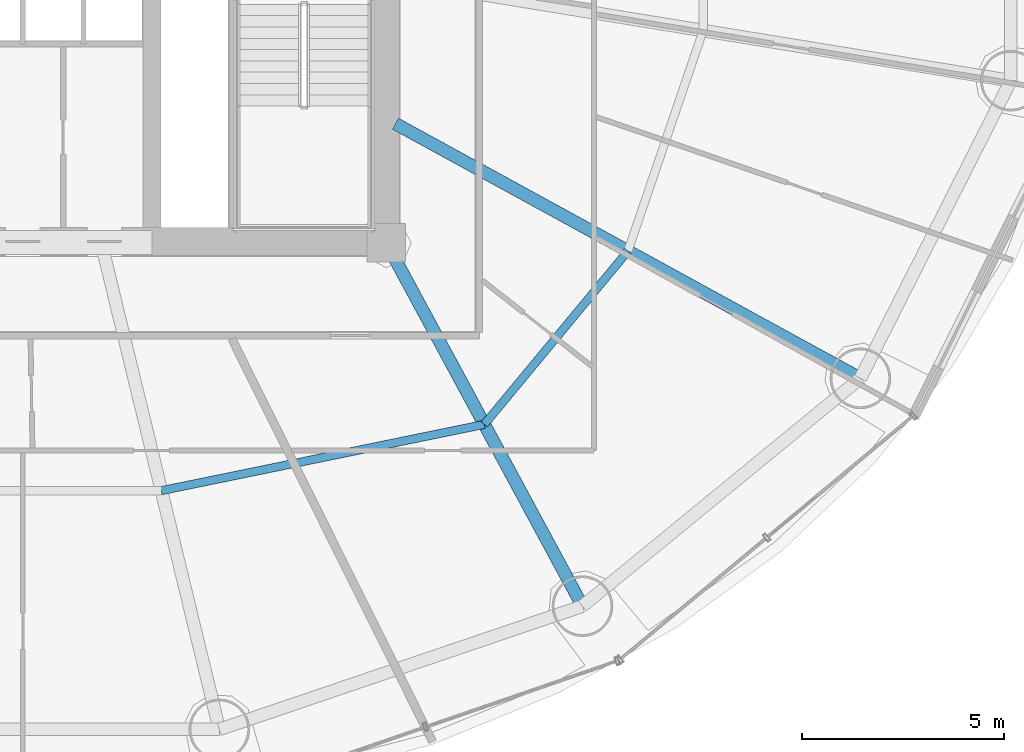
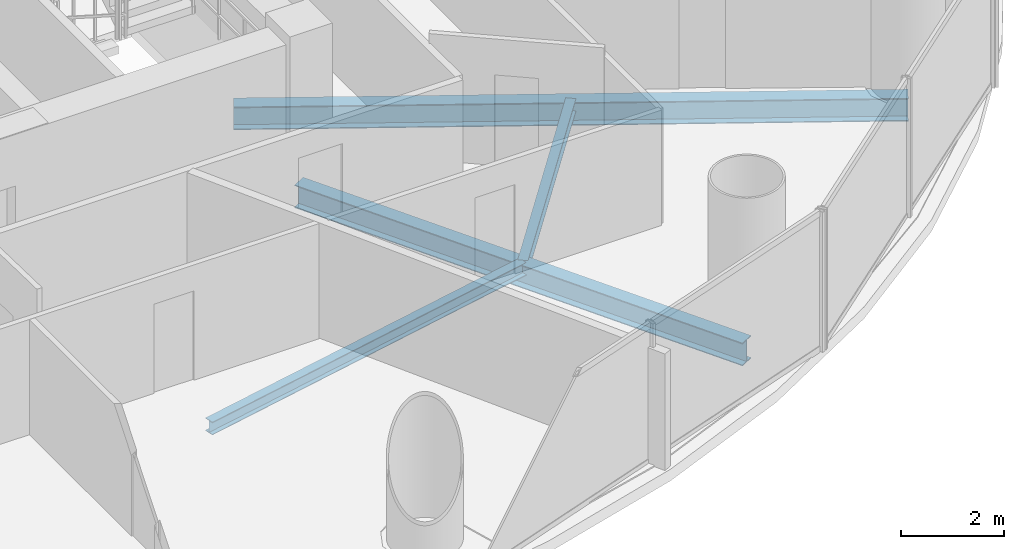
# One storey, part 11 of 28: 4 beams.
"""IFC4 building model written with IfcOpenShell, lengths in metres."""

import ifcopenshell
import ifcopenshell.guid

model = None  # the IFC model being written
_history = None  # IfcOwnerHistory: only IFC2X3 demands one
_inside = {}  # id of a spatial element -> (the spatial element, [elements in it])
_under = {}  # id of a project, library or spatial element -> (it, [spatial elements below it])
_declared = {}  # id of a project -> (the project, [libraries it declares])
_typed = {}  # id of a type object -> (the type object, [elements of that type])
_made_of = {}  # id of a material, layer set ... -> (it, [elements and type objects made of it])


def new_model(schema):
    """Start an empty IFC model of exactly this schema.

    Asked for "IFC4X3", IfcOpenShell would pick the latest addendum, in which some entities
    have other attributes; the version numbers below select the first issue.
    IFC2X3 requires an IfcOwnerHistory on every rooted entity: one is made here for all.
    """
    global model, _history
    if schema == "IFC4X3":
        model = ifcopenshell.file(schema_version=(4, 3, 0, 0))
    else:
        model = ifcopenshell.file(schema=schema)
    _inside.clear()
    _under.clear()
    _declared.clear()
    _typed.clear()
    _made_of.clear()
    _history = None
    if model.schema == "IFC2X3":
        org = make("IfcOrganization", Name="unknown")
        user = make(
            "IfcPersonAndOrganization",
            ThePerson=make("IfcPerson", FamilyName="unknown"),
            TheOrganization=org,
        )
        app = make(
            "IfcApplication",
            ApplicationDeveloper=org,
            Version="unknown",
            ApplicationFullName="unknown",
            ApplicationIdentifier="unknown",
        )
        _history = make(
            "IfcOwnerHistory",
            OwningUser=user,
            OwningApplication=app,
            ChangeAction="ADDED",
            CreationDate=0,
        )
    return model


def make(cls, **values):
    """One entity of the class cls with the attributes given. An attribute that is None is left unset."""
    return model.create_entity(
        cls, **{name: value for name, value in values.items() if value is not None}
    )


def rooted(cls, **values):
    """An entity with a GlobalId (a new one), such as an element, a storey or a relation."""
    return make(cls, GlobalId=ifcopenshell.guid.new(), OwnerHistory=_history, **values)


def si_unit(unit_type, name, prefix=None):
    """IfcSIUnit, for example si_unit("LENGTHUNIT", "METRE", prefix="MILLI")."""
    return make("IfcSIUnit", UnitType=unit_type, Prefix=prefix, Name=name)


def assignment(units):
    """IfcUnitAssignment: the units of a project."""
    return None if units is None else make("IfcUnitAssignment", Units=units)


def point(xyz):
    """IfcCartesianPoint."""
    return None if xyz is None else make("IfcCartesianPoint", Coordinates=xyz)


def direction(xyz):
    """IfcDirection."""
    return None if xyz is None else make("IfcDirection", DirectionRatios=xyz)


def frame(location, z_axis=None, x_axis=None):
    """IfcAxis2Placement3D, a coordinate frame: its origin and axes. An axis left out is left unset."""
    return make(
        "IfcAxis2Placement3D",
        Location=point(location),
        Axis=direction(z_axis),
        RefDirection=direction(x_axis),
    )


def frame_2d(location, x_axis=None):
    """IfcAxis2Placement2D, a coordinate frame in the plane: its origin and x axis."""
    return make(
        "IfcAxis2Placement2D", Location=point(location), RefDirection=direction(x_axis)
    )


def origin():
    """The frame at (0, 0, 0) with its axes left unset."""
    return frame((0.0, 0.0, 0.0))


def origin_2d():
    """The frame at (0, 0) in the plane with its x axis left unset."""
    return frame_2d((0.0, 0.0))


def place(relative_to, where):
    """IfcLocalPlacement: puts the frame where relative to a parent placement (None: the world)."""
    return make(
        "IfcLocalPlacement", PlacementRelTo=relative_to, RelativePlacement=where
    )


def context(
    kind, dimensions, precision=None, world=None, true_north=None, identifier=None
):
    """IfcGeometricRepresentationContext, for example the 3D "Model" context."""
    return make(
        "IfcGeometricRepresentationContext",
        ContextIdentifier=identifier,
        ContextType=kind,
        CoordinateSpaceDimension=dimensions,
        Precision=precision,
        WorldCoordinateSystem=world,
        TrueNorth=true_north,
    )


def subcontext(parent, identifier, kind, view, scale=None):
    """IfcGeometricRepresentationSubContext, for example "Body" below "Model"."""
    return make(
        "IfcGeometricRepresentationSubContext",
        ContextIdentifier=identifier,
        ContextType=kind,
        ParentContext=parent,
        TargetScale=scale,
        TargetView=view,
    )


def project(units=None, contexts=None):
    """IfcProject with its units and contexts."""
    return rooted(
        "IfcProject",
        Name="project",
        RepresentationContexts=contexts,
        UnitsInContext=assignment(units),
    )


def spatial(cls, under=None, at=None, **own):
    """A site, building, storey or space (cls), placed at a placement, below another one or the project."""
    s = rooted(cls, ObjectPlacement=at, **own)
    if under is not None:
        _under.setdefault(under.id(), (under, []))[1].append(s)
    return s


def profile(cls, at=None, kind="AREA", **sizes):
    """A parametric profile (cls). Its sizes go by their IFC names, for example OverallWidth=200.0."""
    return make(cls, ProfileType=kind, Position=at, **sizes)


def i_section(**sizes):
    """IfcIShapeProfileDef."""
    return profile("IfcIShapeProfileDef", **sizes)


def extrude(swept, where, along, depth):
    """IfcExtrudedAreaSolid: the profile swept, set in the frame where, extruded along a direction by depth."""
    return make(
        "IfcExtrudedAreaSolid",
        SweptArea=swept,
        Position=where,
        ExtrudedDirection=direction(along),
        Depth=depth,
    )


def shape(context_of_items, identifier, shape_type, items):
    """IfcShapeRepresentation: the items that make up one representation, for example the "Body"."""
    return make(
        "IfcShapeRepresentation",
        ContextOfItems=context_of_items,
        RepresentationIdentifier=identifier,
        RepresentationType=shape_type,
        Items=items,
    )


def material(Name=None, Category=None):
    """IfcMaterial."""
    return make("IfcMaterial", Name=Name, Category=Category)


def material_profile(
    of_material, cross_section, Name=None, Category=None, Priority=None
):
    """IfcMaterialProfile: a cross section and its material."""
    return make(
        "IfcMaterialProfile",
        Name=Name,
        Material=of_material,
        Profile=cross_section,
        Priority=Priority,
        Category=Category,
    )


def profile_set(profiles, Name=None, composite=None):
    """IfcMaterialProfileSet."""
    return make(
        "IfcMaterialProfileSet",
        Name=Name,
        MaterialProfiles=profiles,
        CompositeProfile=composite,
    )


def made_of(thing, what):
    """Note that an element or type object is made of a material, layer set ...; save() writes the relation."""
    if what is not None:
        _made_of.setdefault(what.id(), (what, []))[1].append(thing)
    return thing


def type_object(cls, material=None, **own):
    """A type object (cls), such as IfcWallType, which elements share."""
    return made_of(rooted(cls, **own), material)


def element(
    cls,
    number,
    at=None,
    inside=None,
    cuts=None,
    type_object=None,
    material=None,
    context=None,
    identifier="Body",
    shape_type=None,
    held_by="IfcProductDefinitionShape",
    body=None,
    shapes=None,
    **own,
):
    """One element of the class cls, such as IfcWall. Its Tag is "e" and its number.

    at: its placement. inside: the storey or other place that contains it. cuts: it is an
    opening in that element (IfcRelVoidsElement). A single representation is given by context,
    identifier, shape_type and body (its items); several are given by shapes. held_by: the class
    of the entity that holds the representations. save() writes the other relations.
    """
    e = rooted(cls, Tag="e%d" % number, ObjectPlacement=at, **own)
    if body is not None:
        shapes = [shape(context, identifier, shape_type, body)]
    if shapes is not None:
        e.Representation = make(held_by, Representations=shapes)
    if inside is not None:
        _inside.setdefault(inside.id(), (inside, []))[1].append(e)
    if cuts is not None:
        rooted(
            "IfcRelVoidsElement", RelatingBuildingElement=cuts, RelatedOpeningElement=e
        )
    if type_object is not None:
        _typed.setdefault(type_object.id(), (type_object, []))[1].append(e)
    return made_of(e, material)


def aggregate(whole, parts):
    """IfcRelAggregates: a whole, such as a stair, and the parts it consists of."""
    return rooted("IfcRelAggregates", RelatingObject=whole, RelatedObjects=parts)


def save(model, path):
    """Write the relations noted so far, then the file.

    IfcRelAggregates (storeys below a building ...), IfcRelContainedInSpatialStructure (elements
    in a storey), IfcRelDefinesByType, IfcRelAssociatesMaterial and IfcRelDeclares: one each for
    every whole, place, type object, material and project.
    """
    for whole, parts in _under.values():
        aggregate(whole, parts)
    for where, things in _inside.values():
        rooted(
            "IfcRelContainedInSpatialStructure",
            RelatedElements=things,
            RelatingStructure=where,
        )
    for kind, things in _typed.values():
        rooted("IfcRelDefinesByType", RelatedObjects=things, RelatingType=kind)
    for what, things in _made_of.values():
        rooted("IfcRelAssociatesMaterial", RelatedObjects=things, RelatingMaterial=what)
    for by, libraries in _declared.values():
        rooted("IfcRelDeclares", RelatingContext=by, RelatedDefinitions=libraries)
    model.write(path)


model = new_model("IFC4")

# Units and contexts
model_context = context("Model", 3, precision=1e-05, world=origin(), true_north=direction((-0.2419218956, 0.970295726276)))
body_context = subcontext(model_context, "Body", "Model", "MODEL_VIEW")
ifc_project = project(units=[si_unit("LENGTHUNIT", "METRE"), si_unit("AREAUNIT", "SQUARE_METRE"), si_unit("VOLUMEUNIT", "CUBIC_METRE"), si_unit("PLANEANGLEUNIT", "RADIAN"), si_unit("MASSUNIT", "GRAM", prefix="KILO")], contexts=[model_context])

# Site, building, storey
site_placement = place(None, origin())
site = spatial("IfcSite", under=ifc_project, at=site_placement, CompositionType="ELEMENT")
building_placement = place(site_placement, origin())
building = spatial("IfcBuilding", under=site, at=building_placement, Name="Cobrevalo Terracotta Tower", CompositionType="ELEMENT")
storey_placement = place(building_placement, frame((0.0, 0.0, 108.60009765625)))
storey = spatial("IfcBuildingStorey", under=building, at=storey_placement, Name="L28", CompositionType="ELEMENT", Elevation=108.60009765625)

# Beams
ifc_material = material(Name="Steel S355", Category="steel")
ifc_material_profile_1 = material_profile(ifc_material, i_section(OverallWidth=0.31201171875, OverallDepth=0.54296875, WebThickness=0.0126953125, FlangeThickness=0.020263671875, at=origin_2d()), Name="W 530x150")
ifc_profile_set_1 = profile_set([ifc_material_profile_1], Name="Steel S355")
beam_type_1 = type_object("IfcBeamType", Name="Structural Beam W 530x150 (Steel S355)", PredefinedType="BEAM", material=ifc_profile_set_1)
beam_1_placement = place(storey_placement, frame((51.861572265625, 9.79638671875, -0.546630859375), z_axis=(-0.475118249298, 0.879921956303, 0.0), x_axis=(-0.879921956303, -0.475118249298, 0.0)))
element("IfcBeam", 1, at=beam_1_placement, inside=storey, type_object=beam_type_1, Name="L28 radial floor girder 14", PredefinedType="BEAM", context=body_context, shape_type="SweptSolid", body=[
    extrude(i_section(OverallWidth=0.31201171875, OverallDepth=0.54296875, WebThickness=0.0126953125, FlangeThickness=0.020263671875, at=origin_2d()), origin(), (0.0, 0.0, 1.0), 10.232421875),
])
beam_2_placement = place(storey_placement, frame((58.7451171875, 15.4384765625, -0.546630859375), z_axis=(-0.877072765004, 0.480357538599, 0.0), x_axis=(-0.480357538599, -0.877072765004, 0.0)))
element("IfcBeam", 2, at=beam_2_placement, inside=storey, type_object=beam_type_1, Name="L28 radial floor girder 15", PredefinedType="BEAM", context=body_context, shape_type="SweptSolid", body=[
    extrude(i_section(OverallWidth=0.31201171875, OverallDepth=0.54296875, WebThickness=0.0126953125, FlangeThickness=0.020263671875, at=origin_2d()), origin(), (0.0, 0.0, 1.0), 13.129150390625),
])
ifc_material_profile_2 = material_profile(ifc_material, i_section(OverallWidth=0.2041015625, OverallDepth=0.305908203125, WebThickness=0.008544921875, FlangeThickness=0.0146484375, at=origin_2d()), Name="W 310x67")
ifc_profile_set_2 = profile_set([ifc_material_profile_2], Name="Steel S355")
beam_type_2 = type_object("IfcBeamType", Name="Structural Joist W 310x67 (Steel S355)", PredefinedType="JOIST", material=ifc_profile_set_2)
beam_3_placement = place(storey_placement, frame((41.432373046875, 12.656494140625, -0.427978515625), z_axis=(0.979574469315, 0.201081722357, 0.0), x_axis=(-0.201081722357, 0.979574469315, 0.0)))
element("IfcBeam", 3, at=beam_3_placement, inside=storey, type_object=beam_type_2, Name="L28 circumferential secondary floor joist 13", PredefinedType="JOIST", context=body_context, shape_type="SweptSolid", body=[
    extrude(i_section(OverallWidth=0.2041015625, OverallDepth=0.305908203125, WebThickness=0.008544921875, FlangeThickness=0.0146484375, at=origin_2d()), origin(), (0.0, 0.0, 1.0), 8.1650390625),
])
beam_4_placement = place(storey_placement, frame((49.4306640625, 14.29833984375, -0.427978515625), z_axis=(0.6379592588, 0.77007011636, 0.0), x_axis=(-0.77007011636, 0.6379592588, 0.0)))
element("IfcBeam", 4, at=beam_4_placement, inside=storey, type_object=beam_type_2, Name="L28 circumferential secondary floor joist 14", PredefinedType="JOIST", context=body_context, shape_type="SweptSolid", body=[
    extrude(i_section(OverallWidth=0.2041015625, OverallDepth=0.305908203125, WebThickness=0.008544921875, FlangeThickness=0.0146484375, at=origin_2d()), origin(), (0.0, 0.0, 1.0), 5.575439453125),
])

save(model, "model.ifc")
